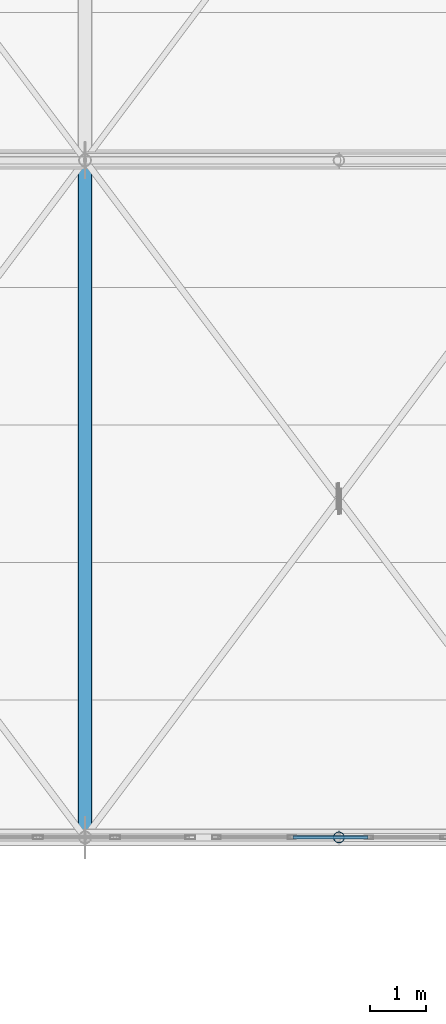
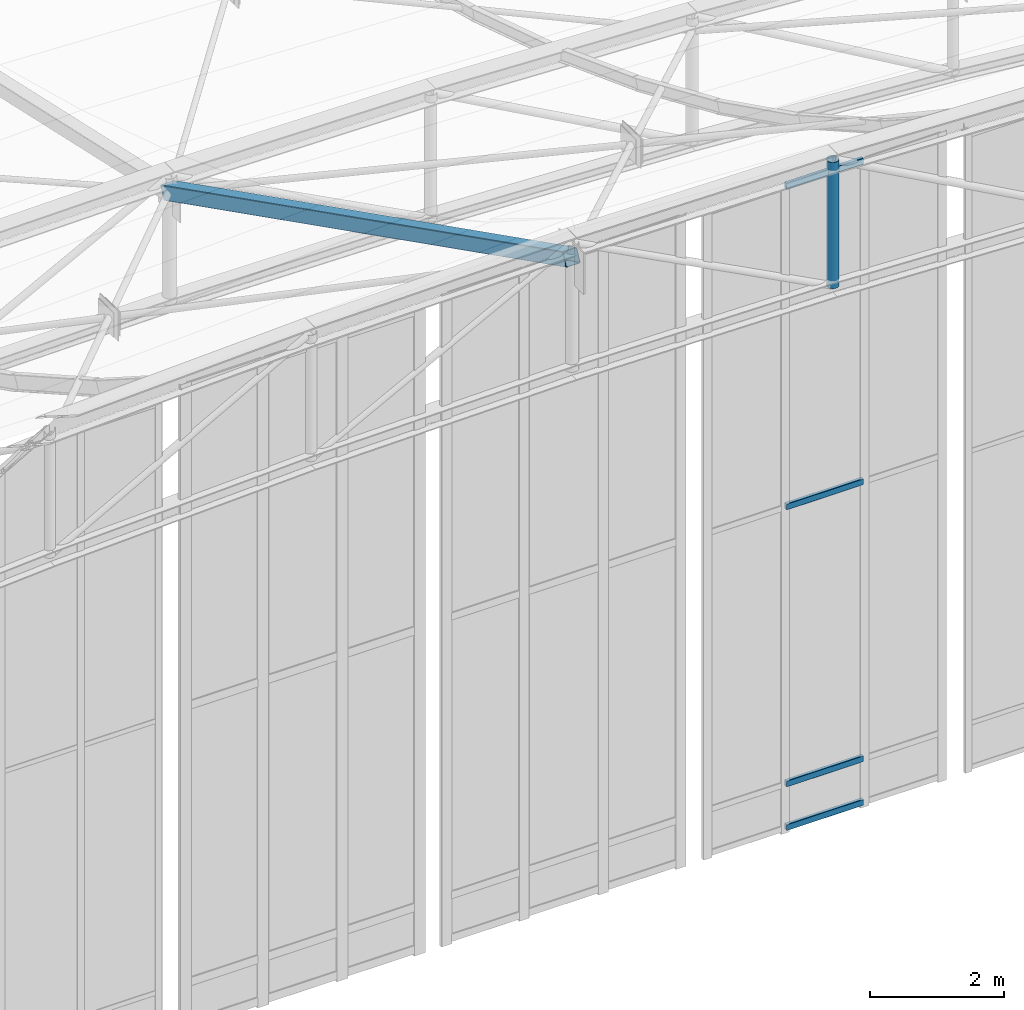
# One storey, part 58 of 262: 6 members, 1 element without a shape of its own.
"""IFC4 building model written with IfcOpenShell, lengths in metres."""

import ifcopenshell
import ifcopenshell.guid

model = None  # the IFC model being written
_history = None  # IfcOwnerHistory: only IFC2X3 demands one
_inside = {}  # id of a spatial element -> (the spatial element, [elements in it])
_under = {}  # id of a project, library or spatial element -> (it, [spatial elements below it])
_declared = {}  # id of a project -> (the project, [libraries it declares])
_typed = {}  # id of a type object -> (the type object, [elements of that type])
_made_of = {}  # id of a material, layer set ... -> (it, [elements and type objects made of it])


def new_model(schema):
    """Start an empty IFC model of exactly this schema.

    Asked for "IFC4X3", IfcOpenShell would pick the latest addendum, in which some entities
    have other attributes; the version numbers below select the first issue.
    IFC2X3 requires an IfcOwnerHistory on every rooted entity: one is made here for all.
    """
    global model, _history
    if schema == "IFC4X3":
        model = ifcopenshell.file(schema_version=(4, 3, 0, 0))
    else:
        model = ifcopenshell.file(schema=schema)
    _inside.clear()
    _under.clear()
    _declared.clear()
    _typed.clear()
    _made_of.clear()
    _history = None
    if model.schema == "IFC2X3":
        org = make("IfcOrganization", Name="unknown")
        user = make(
            "IfcPersonAndOrganization",
            ThePerson=make("IfcPerson", FamilyName="unknown"),
            TheOrganization=org,
        )
        app = make(
            "IfcApplication",
            ApplicationDeveloper=org,
            Version="unknown",
            ApplicationFullName="unknown",
            ApplicationIdentifier="unknown",
        )
        _history = make(
            "IfcOwnerHistory",
            OwningUser=user,
            OwningApplication=app,
            ChangeAction="ADDED",
            CreationDate=0,
        )
    return model


def make(cls, **values):
    """One entity of the class cls with the attributes given. An attribute that is None is left unset."""
    return model.create_entity(
        cls, **{name: value for name, value in values.items() if value is not None}
    )


def rooted(cls, **values):
    """An entity with a GlobalId (a new one), such as an element, a storey or a relation."""
    return make(cls, GlobalId=ifcopenshell.guid.new(), OwnerHistory=_history, **values)


def si_unit(unit_type, name, prefix=None):
    """IfcSIUnit, for example si_unit("LENGTHUNIT", "METRE", prefix="MILLI")."""
    return make("IfcSIUnit", UnitType=unit_type, Prefix=prefix, Name=name)


def derived_unit(unit_type, elements):
    """IfcDerivedUnit: a product of units, each with its exponent."""
    return make(
        "IfcDerivedUnit",
        Elements=[
            make("IfcDerivedUnitElement", Unit=unit, Exponent=power)
            for unit, power in elements
        ],
        UnitType=unit_type,
    )


def assignment(units):
    """IfcUnitAssignment: the units of a project."""
    return None if units is None else make("IfcUnitAssignment", Units=units)


def point(xyz):
    """IfcCartesianPoint."""
    return None if xyz is None else make("IfcCartesianPoint", Coordinates=xyz)


def direction(xyz):
    """IfcDirection."""
    return None if xyz is None else make("IfcDirection", DirectionRatios=xyz)


def frame(location, z_axis=None, x_axis=None):
    """IfcAxis2Placement3D, a coordinate frame: its origin and axes. An axis left out is left unset."""
    return make(
        "IfcAxis2Placement3D",
        Location=point(location),
        Axis=direction(z_axis),
        RefDirection=direction(x_axis),
    )


def frame_2d(location, x_axis=None):
    """IfcAxis2Placement2D, a coordinate frame in the plane: its origin and x axis."""
    return make(
        "IfcAxis2Placement2D", Location=point(location), RefDirection=direction(x_axis)
    )


def origin():
    """The frame at (0, 0, 0) with its axes left unset."""
    return frame((0.0, 0.0, 0.0))


def origin_2d():
    """The frame at (0, 0) in the plane with its x axis left unset."""
    return frame_2d((0.0, 0.0))


def place(relative_to, where):
    """IfcLocalPlacement: puts the frame where relative to a parent placement (None: the world)."""
    return make(
        "IfcLocalPlacement", PlacementRelTo=relative_to, RelativePlacement=where
    )


def context(
    kind, dimensions, precision=None, world=None, true_north=None, identifier=None
):
    """IfcGeometricRepresentationContext, for example the 3D "Model" context."""
    return make(
        "IfcGeometricRepresentationContext",
        ContextIdentifier=identifier,
        ContextType=kind,
        CoordinateSpaceDimension=dimensions,
        Precision=precision,
        WorldCoordinateSystem=world,
        TrueNorth=true_north,
    )


def subcontext(parent, identifier, kind, view, scale=None):
    """IfcGeometricRepresentationSubContext, for example "Body" below "Model"."""
    return make(
        "IfcGeometricRepresentationSubContext",
        ContextIdentifier=identifier,
        ContextType=kind,
        ParentContext=parent,
        TargetScale=scale,
        TargetView=view,
    )


def project(units=None, contexts=None):
    """IfcProject with its units and contexts."""
    return rooted(
        "IfcProject",
        Name="project",
        RepresentationContexts=contexts,
        UnitsInContext=assignment(units),
    )


def spatial(cls, under=None, at=None, **own):
    """A site, building, storey or space (cls), placed at a placement, below another one or the project."""
    s = rooted(cls, ObjectPlacement=at, **own)
    if under is not None:
        _under.setdefault(under.id(), (under, []))[1].append(s)
    return s


def profile(cls, at=None, kind="AREA", **sizes):
    """A parametric profile (cls). Its sizes go by their IFC names, for example OverallWidth=200.0."""
    return make(cls, ProfileType=kind, Position=at, **sizes)


def hollow_rectangle(**sizes):
    """IfcRectangleHollowProfileDef."""
    return profile("IfcRectangleHollowProfileDef", **sizes)


def hollow_circle(**sizes):
    """IfcCircleHollowProfileDef."""
    return profile("IfcCircleHollowProfileDef", **sizes)


def extrude(swept, where, along, depth):
    """IfcExtrudedAreaSolid: the profile swept, set in the frame where, extruded along a direction by depth."""
    return make(
        "IfcExtrudedAreaSolid",
        SweptArea=swept,
        Position=where,
        ExtrudedDirection=direction(along),
        Depth=depth,
    )


def shape(context_of_items, identifier, shape_type, items):
    """IfcShapeRepresentation: the items that make up one representation, for example the "Body"."""
    return make(
        "IfcShapeRepresentation",
        ContextOfItems=context_of_items,
        RepresentationIdentifier=identifier,
        RepresentationType=shape_type,
        Items=items,
    )


def material(Name=None, Category=None):
    """IfcMaterial."""
    return make("IfcMaterial", Name=Name, Category=Category)


def layer(
    of_material, thickness, ventilated=None, Name=None, Category=None, Priority=None
):
    """IfcMaterialLayer: one layer of a wall or slab, of a material (None: an air gap)."""
    return make(
        "IfcMaterialLayer",
        Material=of_material,
        LayerThickness=thickness,
        IsVentilated=ventilated,
        Name=Name,
        Category=Category,
        Priority=Priority,
    )


def layer_set(layers, Name=None):
    """IfcMaterialLayerSet."""
    return make("IfcMaterialLayerSet", MaterialLayers=layers, LayerSetName=Name)


def material_profile(
    of_material, cross_section, Name=None, Category=None, Priority=None
):
    """IfcMaterialProfile: a cross section and its material."""
    return make(
        "IfcMaterialProfile",
        Name=Name,
        Material=of_material,
        Profile=cross_section,
        Priority=Priority,
        Category=Category,
    )


def profile_set(profiles, Name=None, composite=None):
    """IfcMaterialProfileSet."""
    return make(
        "IfcMaterialProfileSet",
        Name=Name,
        MaterialProfiles=profiles,
        CompositeProfile=composite,
    )


def made_of(thing, what):
    """Note that an element or type object is made of a material, layer set ...; save() writes the relation."""
    if what is not None:
        _made_of.setdefault(what.id(), (what, []))[1].append(thing)
    return thing


def type_object(cls, material=None, **own):
    """A type object (cls), such as IfcWallType, which elements share."""
    return made_of(rooted(cls, **own), material)


def element(
    cls,
    number,
    at=None,
    inside=None,
    cuts=None,
    type_object=None,
    material=None,
    context=None,
    identifier="Body",
    shape_type=None,
    held_by="IfcProductDefinitionShape",
    body=None,
    shapes=None,
    **own,
):
    """One element of the class cls, such as IfcWall. Its Tag is "e" and its number.

    at: its placement. inside: the storey or other place that contains it. cuts: it is an
    opening in that element (IfcRelVoidsElement). A single representation is given by context,
    identifier, shape_type and body (its items); several are given by shapes. held_by: the class
    of the entity that holds the representations. save() writes the other relations.
    """
    e = rooted(cls, Tag="e%d" % number, ObjectPlacement=at, **own)
    if body is not None:
        shapes = [shape(context, identifier, shape_type, body)]
    if shapes is not None:
        e.Representation = make(held_by, Representations=shapes)
    if inside is not None:
        _inside.setdefault(inside.id(), (inside, []))[1].append(e)
    if cuts is not None:
        rooted(
            "IfcRelVoidsElement", RelatingBuildingElement=cuts, RelatedOpeningElement=e
        )
    if type_object is not None:
        _typed.setdefault(type_object.id(), (type_object, []))[1].append(e)
    return made_of(e, material)


def aggregate(whole, parts):
    """IfcRelAggregates: a whole, such as a stair, and the parts it consists of."""
    return rooted("IfcRelAggregates", RelatingObject=whole, RelatedObjects=parts)


def save(model, path):
    """Write the relations noted so far, then the file.

    IfcRelAggregates (storeys below a building ...), IfcRelContainedInSpatialStructure (elements
    in a storey), IfcRelDefinesByType, IfcRelAssociatesMaterial and IfcRelDeclares: one each for
    every whole, place, type object, material and project.
    """
    for whole, parts in _under.values():
        aggregate(whole, parts)
    for where, things in _inside.values():
        rooted(
            "IfcRelContainedInSpatialStructure",
            RelatedElements=things,
            RelatingStructure=where,
        )
    for kind, things in _typed.values():
        rooted("IfcRelDefinesByType", RelatedObjects=things, RelatingType=kind)
    for what, things in _made_of.values():
        rooted("IfcRelAssociatesMaterial", RelatedObjects=things, RelatingMaterial=what)
    for by, libraries in _declared.values():
        rooted("IfcRelDeclares", RelatingContext=by, RelatedDefinitions=libraries)
    model.write(path)


model = new_model("IFC4")

# Units and contexts
model_context = context("Model", 3, precision=1e-05, world=origin(), true_north=direction((0.0, 1.0)))
body_context = subcontext(model_context, "Body", "Model", "MODEL_VIEW")
ifc_project = project(units=[si_unit("LENGTHUNIT", "METRE"), si_unit("AREAUNIT", "SQUARE_METRE"), si_unit("VOLUMEUNIT", "CUBIC_METRE"), si_unit("PLANEANGLEUNIT", "RADIAN"), si_unit("MASSUNIT", "GRAM", prefix="KILO"), derived_unit("THERMALTRANSMITTANCEUNIT", [(si_unit("POWERUNIT", "WATT"), 1), (si_unit("LENGTHUNIT", "METRE"), -2), (si_unit("THERMODYNAMICTEMPERATUREUNIT", "KELVIN"), -1)])], contexts=[model_context])

# Site, building, storey
site_placement = place(None, origin())
site = spatial("IfcSite", under=ifc_project, at=site_placement, CompositionType="ELEMENT")
building_placement = place(site_placement, origin())
building = spatial("IfcBuilding", under=site, at=building_placement, Name="Almenara Railside Exhibition Hall", CompositionType="ELEMENT")
storey_placement = place(building_placement, frame((0.0, 0.0, 21.699951171875)))
storey = spatial("IfcBuildingStorey", under=building, at=storey_placement, Name="RF", CompositionType="ELEMENT", Elevation=21.699951171875)

# Curtain wall, members
ifc_material_1 = material(Name="Bronze-anodised aluminium and low-E double glazing", Category="aluminium")
ifc_layer = layer(ifc_material_1, 0.179931640625, Name="Bronze-anodised aluminium and low-E double glazing")
ifc_layer_set = layer_set([ifc_layer], Name="Bronze-anodised aluminium and low-E double glazing")
curtain_wall_type = type_object("IfcCurtainWallType", Name="Scroll Gable Tall Curtain Wall 3800x5400", PredefinedType="NOTDEFINED", material=ifc_layer_set)
curtain_wall_placement = place(storey_placement, origin())
curtain_wall = element("IfcCurtainWall", 1, at=curtain_wall_placement, inside=storey, type_object=curtain_wall_type, Name="Curtain wall CW-G1-202", PredefinedType="NOTDEFINED")
ifc_material_2 = material(Name="Bronze-anodised aluminium", Category="aluminium")
ifc_material_profile_1 = material_profile(ifc_material_2, hollow_rectangle(XDim=0.06005859375, YDim=0.110107421875, WallThickness=0.0029296875, InnerFilletRadius=0.0029296875, OuterFilletRadius=0.006103515625, at=origin_2d()), Name="ALU-TRN 60x110x3")
ifc_profile_set_1 = profile_set([ifc_material_profile_1], Name="Bronze-anodised aluminium")
member_type_1 = type_object("IfcMemberType", Name="Curtain Wall Transom 60x110x3", PredefinedType="USERDEFINED", material=ifc_profile_set_1)
member_1_placement = place(storey_placement, frame((42.688720703125, 48.0, -0.844970703125), z_axis=(1.0, 0.0, 0.0), x_axis=(0.0, 1.0, 0.0)))
member_1 = element("IfcMember", 2, at=member_1_placement, type_object=member_type_1, Name="CW-G1-202 transom 2.1", ObjectType="TRANSOM", PredefinedType="USERDEFINED", context=body_context, shape_type="SweptSolid", body=[
    extrude(hollow_rectangle(XDim=0.06005859375, YDim=0.110107421875, WallThickness=0.0029296875, InnerFilletRadius=0.0029296875, OuterFilletRadius=0.006103515625, at=origin_2d()), origin(), (0.0, 0.0, 1.0), 1.322509765625),
])
member_2_placement = place(storey_placement, frame((42.688720703125, 48.0, -0.050048828125), z_axis=(1.0, 0.0, 0.0), x_axis=(0.0, 1.0, 0.0)))
member_2 = element("IfcMember", 3, at=member_2_placement, type_object=member_type_1, Name="CW-G1-202 transom 2.2", ObjectType="TRANSOM", PredefinedType="USERDEFINED", context=body_context, shape_type="SweptSolid", body=[
    extrude(hollow_rectangle(XDim=0.06005859375, YDim=0.110107421875, WallThickness=0.0029296875, InnerFilletRadius=0.0029296875, OuterFilletRadius=0.006103515625, at=origin_2d()), origin(), (0.0, 0.0, 1.0), 1.322509765625),
])
member_3_placement = place(storey_placement, frame((42.688720703125, 48.0, 4.9951171875), z_axis=(1.0, 0.0, 0.0), x_axis=(0.0, 1.0, 0.0)))
member_3 = element("IfcMember", 4, at=member_3_placement, type_object=member_type_1, Name="CW-G1-202 transom 2.3", ObjectType="TRANSOM", PredefinedType="USERDEFINED", context=body_context, shape_type="SweptSolid", body=[
    extrude(hollow_rectangle(XDim=0.06005859375, YDim=0.110107421875, WallThickness=0.0029296875, InnerFilletRadius=0.0029296875, OuterFilletRadius=0.006103515625, at=origin_2d()), origin(), (0.0, 0.0, 1.0), 1.322509765625),
])
member_4_placement = place(storey_placement, frame((42.688720703125, 48.0, 10.8349609375), z_axis=(1.0, 0.0, 0.0), x_axis=(0.0, 1.0, 0.0)))
member_4 = element("IfcMember", 5, at=member_4_placement, type_object=member_type_1, Name="CW-G1-202 transom 2.4", ObjectType="TRANSOM", PredefinedType="USERDEFINED", context=body_context, shape_type="SweptSolid", body=[
    extrude(hollow_rectangle(XDim=0.06005859375, YDim=0.110107421875, WallThickness=0.0029296875, InnerFilletRadius=0.0029296875, OuterFilletRadius=0.006103515625, at=origin_2d()), origin(), (0.0, 0.0, 1.0), 1.322509765625),
])
aggregate(curtain_wall, [member_1, member_2, member_3, member_4])

# Members
ifc_material_3 = material(Name="Structural steel S355JR", Category="steel")
ifc_material_profile_2 = material_profile(ifc_material_3, hollow_rectangle(XDim=0.25, YDim=0.25, WallThickness=0.010009765625, InnerFilletRadius=0.010009765625, OuterFilletRadius=0.02001953125, at=origin_2d()), Name="SHS 250x250x10")
ifc_profile_set_2 = profile_set([ifc_material_profile_2], Name="Structural steel S355JR")
member_type_2 = type_object("IfcMemberType", Name="Heavy Gable Sway Strut SHS 250x250x10 S355JR", PredefinedType="BRACE", material=ifc_profile_set_2)
member_5_placement = place(storey_placement, frame((39.0, 48.0, 10.820068359375), z_axis=(0.0, 0.892669577236, -0.450711688197), x_axis=(-1.0, 0.0, 0.0)))
element("IfcMember", 6, at=member_5_placement, inside=storey, type_object=member_type_2, Name="MEM-ES-V1-00", PredefinedType="BRACE", context=body_context, shape_type="SweptSolid", body=[
    extrude(hollow_rectangle(XDim=0.25, YDim=0.25, WallThickness=0.010009765625, InnerFilletRadius=0.010009765625, OuterFilletRadius=0.02001953125, at=origin_2d()), origin(), (0.0, 0.0, 1.0), 13.44287109375),
])
ifc_material_profile_3 = material_profile(ifc_material_3, hollow_circle(Radius=0.096923828125, WallThickness=0.00634765625, at=origin_2d()), Name="CHS 193.7x6.3")
ifc_profile_set_3 = profile_set([ifc_material_profile_3], Name="Structural steel S355JR")
member_type_3 = type_object("IfcMemberType", Name="Truss Standard Vertical Strut CHS 193.7x6.3 S355JR", PredefinedType="BRACE", material=ifc_profile_set_3)
member_6_placement = place(storey_placement, frame((43.5, 48.0, 8.739013671875), z_axis=(0.0, 0.0, 1.0), x_axis=(1.0, 0.0, 0.0)))
element("IfcMember", 7, at=member_6_placement, inside=storey, type_object=member_type_3, Name="MEM-TV-V1-00-07", PredefinedType="BRACE", context=body_context, shape_type="SweptSolid", body=[
    extrude(hollow_circle(Radius=0.096923828125, WallThickness=0.00634765625, at=origin_2d()), origin(), (0.0, 0.0, 1.0), 2.2998046875),
])

save(model, "model.ifc")
